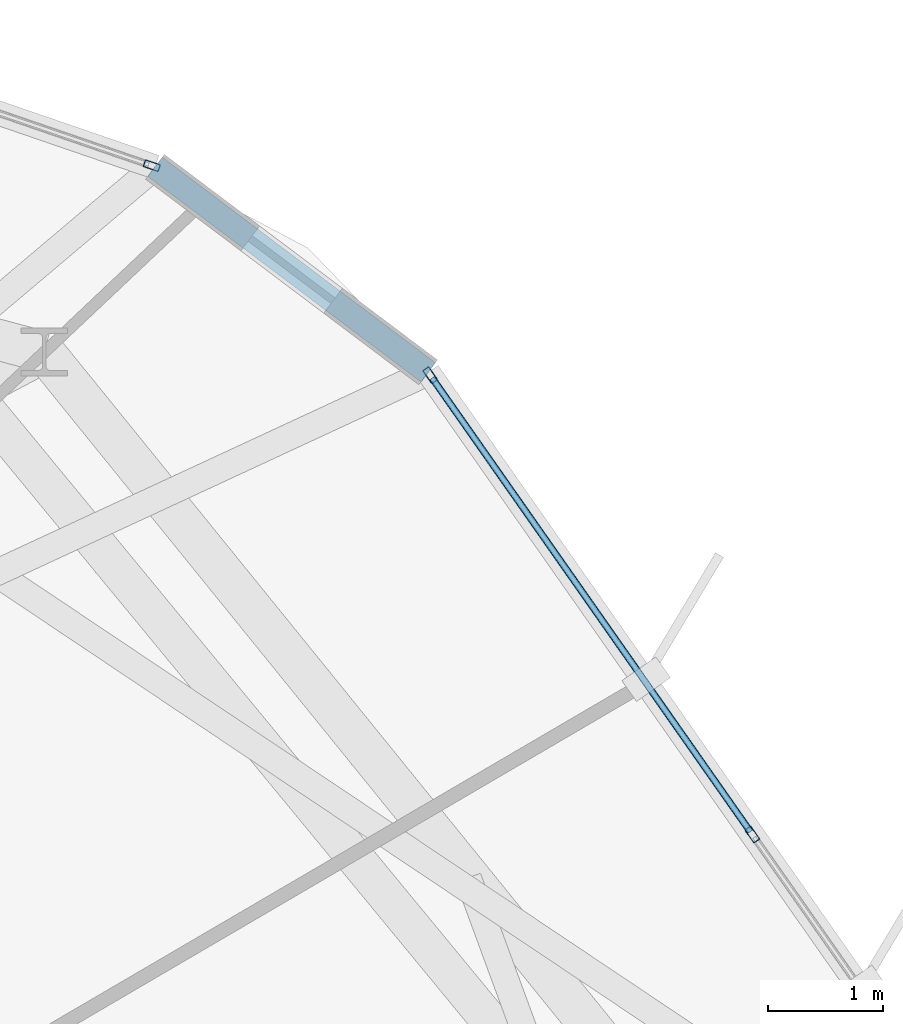
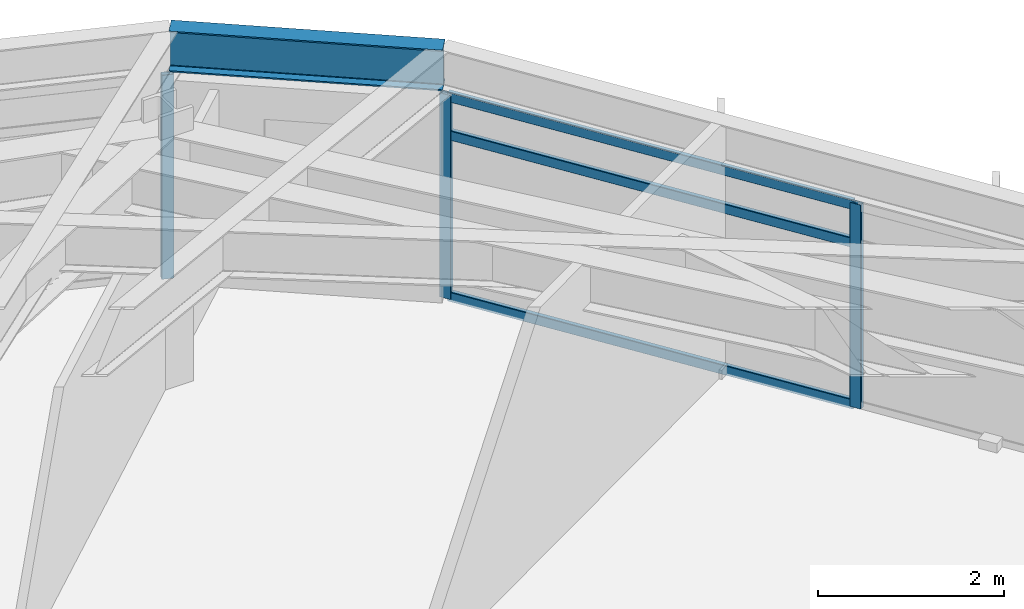
# One storey, part 21 of 29: 6 members, 1 beam, 2 elements without a shape of their own.
"""IFC4 building model written with IfcOpenShell, lengths in metres."""

from ifc_helpers import new_model, si_unit, direction, frame, origin, origin_2d, place, context, subcontext, project, spatial, hollow_rectangle, i_section, extrude, material, layer, layer_set, material_profile, profile_set, type_object, element, aggregate, save


model = new_model("IFC4")

# Units and contexts
model_context = context("Model", 3, precision=1e-05, world=origin(), true_north=direction((0.0, 1.0)))
body_context = subcontext(model_context, "Body", "Model", "MODEL_VIEW")
ifc_project = project(units=[si_unit("LENGTHUNIT", "METRE"), si_unit("AREAUNIT", "SQUARE_METRE"), si_unit("VOLUMEUNIT", "CUBIC_METRE"), si_unit("PLANEANGLEUNIT", "RADIAN"), si_unit("MASSUNIT", "GRAM", prefix="KILO")], contexts=[model_context])

# Site, building, storey
site_placement = place(None, origin())
site = spatial("IfcSite", under=ifc_project, at=site_placement, CompositionType="ELEMENT")
building_placement = place(site_placement, origin())
building = spatial("IfcBuilding", under=site, at=building_placement, Name="Soratama Intermodal Tower", CompositionType="ELEMENT")
storey_placement = place(building_placement, frame((0.0, 0.0, 226.60009765625)))
storey = spatial("IfcBuildingStorey", under=building, at=storey_placement, Name="L57", CompositionType="ELEMENT", Elevation=226.60009765625)

# Beam
ifc_material_1 = material(Name="Structural steel ASTM A992 Grade 50", Category="steel")
ifc_material_profile_1 = material_profile(ifc_material_1, i_section(OverallWidth=0.2099609375, OverallDepth=0.537109375, WebThickness=0.010986328125, FlangeThickness=0.017333984375, FilletRadius=0.012939453125, at=origin_2d()), Name="W21X68")
ifc_profile_set_1 = profile_set([ifc_material_profile_1], Name="Structural steel ASTM A992 Grade 50")
beam_type = type_object("IfcBeamType", Name="BM-SPN-W21X68", PredefinedType="SPANDREL", material=ifc_profile_set_1)
beam_placement = place(storey_placement, frame((58.4619140625, 40.423095703125, 3.031494140625), z_axis=(-0.79906098347, 0.601249985194, 0.0), x_axis=(-0.601249985194, -0.79906098347, 0.0)))
element("IfcBeam", 1, at=beam_placement, inside=storey, type_object=beam_type, Name="BS-L57-CRN10", PredefinedType="SPANDREL", context=body_context, shape_type="SweptSolid", body=[
    extrude(i_section(OverallWidth=0.2099609375, OverallDepth=0.537109375, WebThickness=0.010986328125, FlangeThickness=0.017333984375, FilletRadius=0.012939453125, at=origin_2d()), origin(), (0.0, 0.0, 1.0), 2.967041015625),
])

# Curtain wall, member
ifc_material_2 = material(Name="Double-glazed aluminium curtain wall", Category="aluminium")
ifc_layer = layer(ifc_material_2, 0.159912109375)
ifc_layer_set = layer_set([ifc_layer], Name="Double-glazed aluminium curtain wall")
curtain_wall_type = type_object("IfcCurtainWallType", Name="CW-SYS-5", PredefinedType="NOTDEFINED", material=ifc_layer_set)
curtain_wall_1_placement = place(storey_placement, origin())
curtain_wall_1 = element("IfcCurtainWall", 2, at=curtain_wall_1_placement, inside=storey, type_object=curtain_wall_type, Name="L57 Faceted Curtain Wall F01", PredefinedType="NOTDEFINED")
ifc_material_3 = material(Name="Anodised aluminium AA 6063-T6", Category="aluminium")
ifc_material_profile_2 = material_profile(ifc_material_3, hollow_rectangle(XDim=0.06494140625, YDim=0.139892578125, WallThickness=0.0048828125, InnerFilletRadius=0.0048828125, OuterFilletRadius=0.010009765625, at=origin_2d()), Name="CWM140X65X5")
ifc_profile_set_2 = profile_set([ifc_material_profile_2], Name="Anodised aluminium AA 6063-T6")
member_type_1 = type_object("IfcMemberType", Name="MT-CWM-5", PredefinedType="MULLION", material=ifc_profile_set_2)
member_1_placement = place(storey_placement, frame((56.06298828125, 42.216796875, 0.0), z_axis=(0.0, 0.0, 1.0), x_axis=(-0.324904335473, -0.945746886218, 0.0)))
member_1 = element("IfcMember", 3, at=member_1_placement, type_object=member_type_1, Name="CW-5 mullion 1", PredefinedType="MULLION", context=body_context, shape_type="SweptSolid", body=[
    extrude(hollow_rectangle(XDim=0.06494140625, YDim=0.139892578125, WallThickness=0.0048828125, InnerFilletRadius=0.0048828125, OuterFilletRadius=0.010009765625, at=origin_2d()), origin(), (0.0, 0.0, 1.0), 2.678955078125),
])
aggregate(curtain_wall_1, [member_1])

# Curtain wall, members
curtain_wall_2_placement = place(storey_placement, origin())
curtain_wall_2 = element("IfcCurtainWall", 4, at=curtain_wall_2_placement, inside=storey, type_object=curtain_wall_type, Name="L57 Faceted Curtain Wall F10", PredefinedType="NOTDEFINED")
member_2_placement = place(storey_placement, frame((61.2744140625, 36.412353515625, 0.0), z_axis=(0.0, 0.0, 1.0), x_axis=(-0.818750210782, -0.574149886653, 0.0)))
member_2 = element("IfcMember", 5, at=member_2_placement, type_object=member_type_1, Name="CW-5 mullion 2", PredefinedType="MULLION", context=body_context, shape_type="SweptSolid", body=[
    extrude(hollow_rectangle(XDim=0.06494140625, YDim=0.139892578125, WallThickness=0.0048828125, InnerFilletRadius=0.0048828125, OuterFilletRadius=0.010009765625, at=origin_2d()), origin(), (0.0, 0.0, 1.0), 2.678955078125),
])
member_3_placement = place(storey_placement, frame((58.47900390625, 40.398681640625, 0.0), z_axis=(0.0, 0.0, 1.0), x_axis=(-0.818750210782, -0.574149886653, 0.0)))
member_3 = element("IfcMember", 6, at=member_3_placement, type_object=member_type_1, Name="CW-5 mullion 3", PredefinedType="MULLION", context=body_context, shape_type="SweptSolid", body=[
    extrude(hollow_rectangle(XDim=0.06494140625, YDim=0.139892578125, WallThickness=0.0048828125, InnerFilletRadius=0.0048828125, OuterFilletRadius=0.010009765625, at=origin_2d()), origin(), (0.0, 0.0, 1.0), 2.678955078125),
])
ifc_material_4 = material(Name="Anodised aluminium AA 6063-T6", Category="aluminium")
ifc_material_profile_3 = material_profile(ifc_material_4, hollow_rectangle(XDim=0.06005859375, YDim=0.1298828125, WallThickness=0.0048828125, InnerFilletRadius=0.0048828125, OuterFilletRadius=0.010009765625, at=origin_2d()), Name="CWT130X60X5")
ifc_profile_set_3 = profile_set([ifc_material_profile_3], Name="Anodised aluminium AA 6063-T6")
member_type_2 = type_object("IfcMemberType", Name="TT-CWT-2", PredefinedType="USERDEFINED", material=ifc_profile_set_3)
member_4_placement = place(storey_placement, frame((61.257080078125, 36.43701171875, 0.02978515625), z_axis=(-0.574147014845, 0.818752224635, 0.0), x_axis=(-0.818752224635, -0.574147014845, 0.0)))
member_4 = element("IfcMember", 7, at=member_4_placement, type_object=member_type_2, Name="CW-5 transom 2.1", ObjectType="TRANSOM", PredefinedType="USERDEFINED", context=body_context, shape_type="SweptSolid", body=[
    extrude(hollow_rectangle(XDim=0.06005859375, YDim=0.1298828125, WallThickness=0.0048828125, InnerFilletRadius=0.0048828125, OuterFilletRadius=0.010009765625, at=origin_2d()), origin(), (0.0, 0.0, 1.0), 4.808837890625),
])
member_5_placement = place(storey_placement, frame((61.257080078125, 36.43701171875, 2.14990234375), z_axis=(-0.574147014845, 0.818752224635, 0.0), x_axis=(-0.818752224635, -0.574147014845, 0.0)))
member_5 = element("IfcMember", 8, at=member_5_placement, type_object=member_type_2, Name="CW-5 transom 2.2", ObjectType="TRANSOM", PredefinedType="USERDEFINED", context=body_context, shape_type="SweptSolid", body=[
    extrude(hollow_rectangle(XDim=0.06005859375, YDim=0.1298828125, WallThickness=0.0048828125, InnerFilletRadius=0.0048828125, OuterFilletRadius=0.010009765625, at=origin_2d()), origin(), (0.0, 0.0, 1.0), 4.808837890625),
])
member_6_placement = place(storey_placement, frame((61.257080078125, 36.43701171875, 2.64892578125), z_axis=(-0.574147014845, 0.818752224635, 0.0), x_axis=(-0.818752224635, -0.574147014845, 0.0)))
member_6 = element("IfcMember", 9, at=member_6_placement, type_object=member_type_2, Name="CW-5 transom 2.3", ObjectType="TRANSOM", PredefinedType="USERDEFINED", context=body_context, shape_type="SweptSolid", body=[
    extrude(hollow_rectangle(XDim=0.06005859375, YDim=0.1298828125, WallThickness=0.0048828125, InnerFilletRadius=0.0048828125, OuterFilletRadius=0.010009765625, at=origin_2d()), origin(), (0.0, 0.0, 1.0), 4.808837890625),
])
aggregate(curtain_wall_2, [member_2, member_3, member_4, member_5, member_6])

save(model, "model.ifc")
